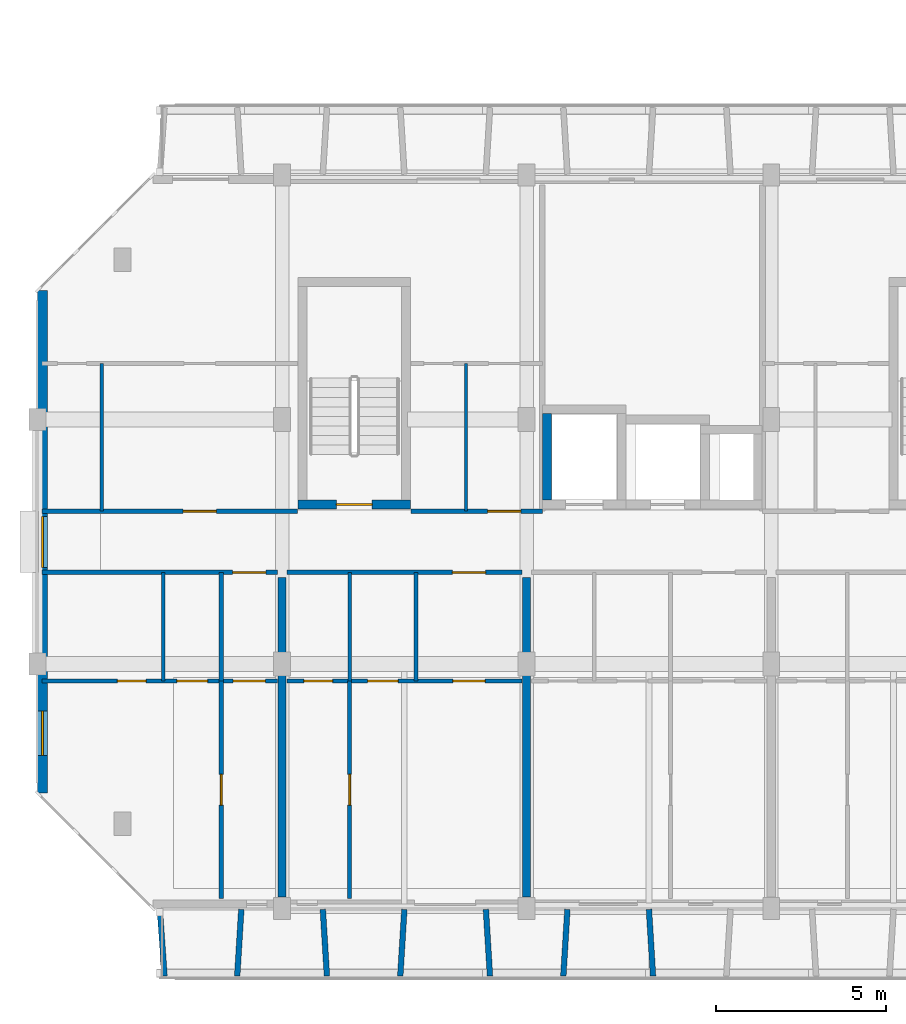
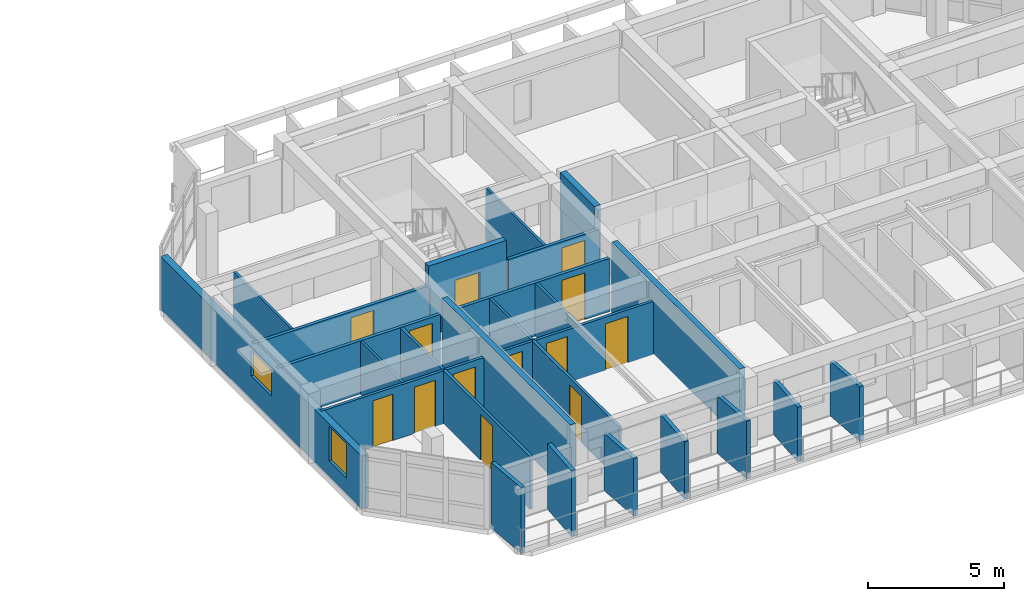
# One storey, part 22 of 51: 26 walls, 13 doors, 2 windows, 15 openings.
"""IFC4 building model written with IfcOpenShell, lengths in metres."""

import ifcopenshell
import ifcopenshell.guid

model = None  # the IFC model being written
_history = None  # IfcOwnerHistory: only IFC2X3 demands one
_inside = {}  # id of a spatial element -> (the spatial element, [elements in it])
_under = {}  # id of a project, library or spatial element -> (it, [spatial elements below it])
_declared = {}  # id of a project -> (the project, [libraries it declares])
_typed = {}  # id of a type object -> (the type object, [elements of that type])
_made_of = {}  # id of a material, layer set ... -> (it, [elements and type objects made of it])


def new_model(schema):
    """Start an empty IFC model of exactly this schema.

    Asked for "IFC4X3", IfcOpenShell would pick the latest addendum, in which some entities
    have other attributes; the version numbers below select the first issue.
    IFC2X3 requires an IfcOwnerHistory on every rooted entity: one is made here for all.
    """
    global model, _history
    if schema == "IFC4X3":
        model = ifcopenshell.file(schema_version=(4, 3, 0, 0))
    else:
        model = ifcopenshell.file(schema=schema)
    _inside.clear()
    _under.clear()
    _declared.clear()
    _typed.clear()
    _made_of.clear()
    _history = None
    if model.schema == "IFC2X3":
        org = make("IfcOrganization", Name="unknown")
        user = make(
            "IfcPersonAndOrganization",
            ThePerson=make("IfcPerson", FamilyName="unknown"),
            TheOrganization=org,
        )
        app = make(
            "IfcApplication",
            ApplicationDeveloper=org,
            Version="unknown",
            ApplicationFullName="unknown",
            ApplicationIdentifier="unknown",
        )
        _history = make(
            "IfcOwnerHistory",
            OwningUser=user,
            OwningApplication=app,
            ChangeAction="ADDED",
            CreationDate=0,
        )
    return model


def make(cls, **values):
    """One entity of the class cls with the attributes given. An attribute that is None is left unset."""
    return model.create_entity(
        cls, **{name: value for name, value in values.items() if value is not None}
    )


def rooted(cls, **values):
    """An entity with a GlobalId (a new one), such as an element, a storey or a relation."""
    return make(cls, GlobalId=ifcopenshell.guid.new(), OwnerHistory=_history, **values)


def si_unit(unit_type, name, prefix=None):
    """IfcSIUnit, for example si_unit("LENGTHUNIT", "METRE", prefix="MILLI")."""
    return make("IfcSIUnit", UnitType=unit_type, Prefix=prefix, Name=name)


def assignment(units):
    """IfcUnitAssignment: the units of a project."""
    return None if units is None else make("IfcUnitAssignment", Units=units)


def point(xyz):
    """IfcCartesianPoint."""
    return None if xyz is None else make("IfcCartesianPoint", Coordinates=xyz)


def direction(xyz):
    """IfcDirection."""
    return None if xyz is None else make("IfcDirection", DirectionRatios=xyz)


def frame(location, z_axis=None, x_axis=None):
    """IfcAxis2Placement3D, a coordinate frame: its origin and axes. An axis left out is left unset."""
    return make(
        "IfcAxis2Placement3D",
        Location=point(location),
        Axis=direction(z_axis),
        RefDirection=direction(x_axis),
    )


def frame_2d(location, x_axis=None):
    """IfcAxis2Placement2D, a coordinate frame in the plane: its origin and x axis."""
    return make(
        "IfcAxis2Placement2D", Location=point(location), RefDirection=direction(x_axis)
    )


def origin():
    """The frame at (0, 0, 0) with its axes left unset."""
    return frame((0.0, 0.0, 0.0))


def place(relative_to, where):
    """IfcLocalPlacement: puts the frame where relative to a parent placement (None: the world)."""
    return make(
        "IfcLocalPlacement", PlacementRelTo=relative_to, RelativePlacement=where
    )


def context(
    kind, dimensions, precision=None, world=None, true_north=None, identifier=None
):
    """IfcGeometricRepresentationContext, for example the 3D "Model" context."""
    return make(
        "IfcGeometricRepresentationContext",
        ContextIdentifier=identifier,
        ContextType=kind,
        CoordinateSpaceDimension=dimensions,
        Precision=precision,
        WorldCoordinateSystem=world,
        TrueNorth=true_north,
    )


def subcontext(parent, identifier, kind, view, scale=None):
    """IfcGeometricRepresentationSubContext, for example "Body" below "Model"."""
    return make(
        "IfcGeometricRepresentationSubContext",
        ContextIdentifier=identifier,
        ContextType=kind,
        ParentContext=parent,
        TargetScale=scale,
        TargetView=view,
    )


def project(units=None, contexts=None):
    """IfcProject with its units and contexts."""
    return rooted(
        "IfcProject",
        Name="project",
        RepresentationContexts=contexts,
        UnitsInContext=assignment(units),
    )


def spatial(cls, under=None, at=None, **own):
    """A site, building, storey or space (cls), placed at a placement, below another one or the project."""
    s = rooted(cls, ObjectPlacement=at, **own)
    if under is not None:
        _under.setdefault(under.id(), (under, []))[1].append(s)
    return s


def profile(cls, at=None, kind="AREA", **sizes):
    """A parametric profile (cls). Its sizes go by their IFC names, for example OverallWidth=200.0."""
    return make(cls, ProfileType=kind, Position=at, **sizes)


def rectangle(**sizes):
    """IfcRectangleProfileDef."""
    return profile("IfcRectangleProfileDef", **sizes)


def extrude(swept, where, along, depth):
    """IfcExtrudedAreaSolid: the profile swept, set in the frame where, extruded along a direction by depth."""
    return make(
        "IfcExtrudedAreaSolid",
        SweptArea=swept,
        Position=where,
        ExtrudedDirection=direction(along),
        Depth=depth,
    )


def shape(context_of_items, identifier, shape_type, items):
    """IfcShapeRepresentation: the items that make up one representation, for example the "Body"."""
    return make(
        "IfcShapeRepresentation",
        ContextOfItems=context_of_items,
        RepresentationIdentifier=identifier,
        RepresentationType=shape_type,
        Items=items,
    )


def material(Name=None, Category=None):
    """IfcMaterial."""
    return make("IfcMaterial", Name=Name, Category=Category)


def layer(
    of_material, thickness, ventilated=None, Name=None, Category=None, Priority=None
):
    """IfcMaterialLayer: one layer of a wall or slab, of a material (None: an air gap)."""
    return make(
        "IfcMaterialLayer",
        Material=of_material,
        LayerThickness=thickness,
        IsVentilated=ventilated,
        Name=Name,
        Category=Category,
        Priority=Priority,
    )


def layer_set(layers, Name=None):
    """IfcMaterialLayerSet."""
    return make("IfcMaterialLayerSet", MaterialLayers=layers, LayerSetName=Name)


def made_of(thing, what):
    """Note that an element or type object is made of a material, layer set ...; save() writes the relation."""
    if what is not None:
        _made_of.setdefault(what.id(), (what, []))[1].append(thing)
    return thing


def type_object(cls, material=None, **own):
    """A type object (cls), such as IfcWallType, which elements share."""
    return made_of(rooted(cls, **own), material)


def element(
    cls,
    number,
    at=None,
    inside=None,
    cuts=None,
    type_object=None,
    material=None,
    context=None,
    identifier="Body",
    shape_type=None,
    held_by="IfcProductDefinitionShape",
    body=None,
    shapes=None,
    **own,
):
    """One element of the class cls, such as IfcWall. Its Tag is "e" and its number.

    at: its placement. inside: the storey or other place that contains it. cuts: it is an
    opening in that element (IfcRelVoidsElement). A single representation is given by context,
    identifier, shape_type and body (its items); several are given by shapes. held_by: the class
    of the entity that holds the representations. save() writes the other relations.
    """
    e = rooted(cls, Tag="e%d" % number, ObjectPlacement=at, **own)
    if body is not None:
        shapes = [shape(context, identifier, shape_type, body)]
    if shapes is not None:
        e.Representation = make(held_by, Representations=shapes)
    if inside is not None:
        _inside.setdefault(inside.id(), (inside, []))[1].append(e)
    if cuts is not None:
        rooted(
            "IfcRelVoidsElement", RelatingBuildingElement=cuts, RelatedOpeningElement=e
        )
    if type_object is not None:
        _typed.setdefault(type_object.id(), (type_object, []))[1].append(e)
    return made_of(e, material)


def fill(opening, filler):
    """IfcRelFillsElement: the door or window that sits in an opening."""
    return rooted(
        "IfcRelFillsElement",
        RelatingOpeningElement=opening,
        RelatedBuildingElement=filler,
    )


def aggregate(whole, parts):
    """IfcRelAggregates: a whole, such as a stair, and the parts it consists of."""
    return rooted("IfcRelAggregates", RelatingObject=whole, RelatedObjects=parts)


def save(model, path):
    """Write the relations noted so far, then the file.

    IfcRelAggregates (storeys below a building ...), IfcRelContainedInSpatialStructure (elements
    in a storey), IfcRelDefinesByType, IfcRelAssociatesMaterial and IfcRelDeclares: one each for
    every whole, place, type object, material and project.
    """
    for whole, parts in _under.values():
        aggregate(whole, parts)
    for where, things in _inside.values():
        rooted(
            "IfcRelContainedInSpatialStructure",
            RelatedElements=things,
            RelatingStructure=where,
        )
    for kind, things in _typed.values():
        rooted("IfcRelDefinesByType", RelatedObjects=things, RelatingType=kind)
    for what, things in _made_of.values():
        rooted("IfcRelAssociatesMaterial", RelatedObjects=things, RelatingMaterial=what)
    for by, libraries in _declared.values():
        rooted("IfcRelDeclares", RelatingContext=by, RelatedDefinitions=libraries)
    model.write(path)


model = new_model("IFC4")

# Units and contexts
model_context = context("Model", 3, precision=1e-05, world=origin(), true_north=direction((0.0, 1.0)))
body_context = subcontext(model_context, "Body", "Model", "MODEL_VIEW")
ifc_project = project(units=[si_unit("LENGTHUNIT", "METRE"), si_unit("AREAUNIT", "SQUARE_METRE"), si_unit("VOLUMEUNIT", "CUBIC_METRE"), si_unit("PLANEANGLEUNIT", "RADIAN"), si_unit("MASSUNIT", "GRAM", prefix="KILO")], contexts=[model_context])

# Site, building, storey
site_placement = place(None, origin())
site = spatial("IfcSite", under=ifc_project, at=site_placement, CompositionType="ELEMENT")
building_placement = place(site_placement, origin())
building = spatial("IfcBuilding", under=site, at=building_placement, Name="Ochrevale Crest", CompositionType="ELEMENT")
storey_placement = place(building_placement, frame((0.0, 0.0, 11.85009765625)))
storey = spatial("IfcBuildingStorey", under=building, at=storey_placement, Name="L03", CompositionType="ELEMENT", Elevation=11.85009765625)

# Wall, opening, door
ifc_material_1 = material(Name="Gypsum plasterboard", Category="gypsum")
ifc_layer_1 = layer(ifc_material_1, 0.139892578125)
ifc_layer_set_1 = layer_set([ifc_layer_1], Name="Gypsum plasterboard")
wall_type_1 = type_object("IfcWallType", Name="WL-COR-140", PredefinedType="PARTITIONING", material=ifc_layer_set_1)
wall_1_placement = place(storey_placement, frame((0.139892578125, 24.300048828125, 0.0), z_axis=(0.0, 0.0, 1.0), x_axis=(1.0, 0.0, 0.0)))
wall_1 = element("IfcWall", 1, at=wall_1_placement, inside=storey, type_object=wall_type_1, Name="Apartment A-L03-U1 corridor wall", PredefinedType="PARTITIONING", context=body_context, shape_type="SweptSolid", body=[
    extrude(rectangle(XDim=6.920166015625, YDim=0.139892578125, at=frame_2d((3.4599609375, 0.0))), origin(), (0.0, 0.0, 1.0), 2.3798828125),
])
opening_1_placement = place(wall_1_placement, frame((6.5849609375, 0.0, 0.0), z_axis=(0.0, 0.0, 1.0), x_axis=(-1.0, 0.0, 0.0)))
opening_1 = element("IfcOpeningElement", 2, at=opening_1_placement, cuts=wall_1, Name="Opening FD01", PredefinedType="OPENING", context=body_context, shape_type="SweptSolid", body=[
    extrude(rectangle(XDim=0.97998046875, YDim=2.10009765625, at=frame_2d((0.489990234375, 1.050048828125))), frame((0.0, 0.080078125, 0.0), z_axis=(0.0, -1.0, 0.0), x_axis=(1.0, 0.0, 0.0)), (0.0, 0.0, 1.0), 0.159912109375),
])
ifc_material_2 = material(Name="Solid-core FSC hardwood", Category="wood")
door_type_1 = type_object("IfcDoorType", Name="DR-APT-950", OperationType="NOTDEFINED", PredefinedType="DOOR", material=ifc_material_2)
door_1_placement = place(opening_1_placement, origin())
door_1 = element("IfcDoor", 3, at=door_1_placement, inside=storey, type_object=door_type_1, Name="Apartment A-L03-U1 entrance door", OperationType="SINGLE_SWING_RIGHT", OverallHeight=2.10009765625, OverallWidth=0.97998046875, PredefinedType="DOOR", context=body_context, shape_type="SweptSolid", body=[
    extrude(rectangle(XDim=0.97998046875, YDim=2.10009765625, at=frame_2d((0.489990234375, 1.050048828125))), frame((0.0, 0.02490234375, 0.0), z_axis=(0.0, -1.0, 0.0), x_axis=(1.0, 0.0, 0.0)), (0.0, 0.0, 1.0), 0.050048828125),
])
fill(opening_1, door_1)

wall_2_placement = place(storey_placement, frame((7.340087890625, 24.300048828125, 0.0), z_axis=(0.0, 0.0, 1.0), x_axis=(1.0, 0.0, 0.0)))
wall_2 = element("IfcWall", 4, at=wall_2_placement, inside=storey, type_object=wall_type_1, Name="Apartment A-L03-U2 corridor wall", PredefinedType="PARTITIONING", context=body_context, shape_type="SweptSolid", body=[
    extrude(rectangle(XDim=6.919921875, YDim=0.139892578125, at=frame_2d((3.4599609375, 0.0))), origin(), (0.0, 0.0, 1.0), 2.3798828125),
])
opening_2_placement = place(wall_2_placement, frame((4.8701171875, 0.0, 0.0)))
opening_2 = element("IfcOpeningElement", 5, at=opening_2_placement, cuts=wall_2, Name="Opening FD01", PredefinedType="OPENING", context=body_context, shape_type="SweptSolid", body=[
    extrude(rectangle(XDim=0.97998046875, YDim=2.10009765625, at=frame_2d((0.489990234375, 1.050048828125))), frame((0.0, 0.080078125, 0.0), z_axis=(0.0, -1.0, 0.0), x_axis=(1.0, 0.0, 0.0)), (0.0, 0.0, 1.0), 0.159912109375),
])
door_2_placement = place(opening_2_placement, origin())
door_2 = element("IfcDoor", 6, at=door_2_placement, inside=storey, type_object=door_type_1, Name="Apartment A-L03-U2 entrance door", OperationType="SINGLE_SWING_LEFT", OverallHeight=2.10009765625, OverallWidth=0.97998046875, PredefinedType="DOOR", context=body_context, shape_type="SweptSolid", body=[
    extrude(rectangle(XDim=0.97998046875, YDim=2.10009765625, at=frame_2d((0.489990234375, 1.050048828125))), frame((0.0, 0.02490234375, 0.0), z_axis=(0.0, -1.0, 0.0), x_axis=(1.0, 0.0, 0.0)), (0.0, 0.0, 1.0), 0.050048828125),
])
fill(opening_2, door_2)

wall_3_placement = place(storey_placement, frame((0.139892578125, 26.10009765625, 0.0), z_axis=(0.0, 0.0, 1.0), x_axis=(1.0, 0.0, 0.0)))
wall_3 = element("IfcWall", 7, at=wall_3_placement, inside=storey, type_object=wall_type_1, Name="Suite A-L03-CW corridor wall", PredefinedType="PARTITIONING", context=body_context, shape_type="SweptSolid", body=[
    extrude(rectangle(XDim=7.52001953125, YDim=0.139892578125, at=frame_2d((3.760009765625, 0.0))), origin(), (0.0, 0.0, 1.0), 2.3798828125),
])
opening_3_placement = place(wall_3_placement, frame((4.14501953125, 0.0, 0.0)))
opening_3 = element("IfcOpeningElement", 8, at=opening_3_placement, cuts=wall_3, Name="Opening FD01", PredefinedType="OPENING", context=body_context, shape_type="SweptSolid", body=[
    extrude(rectangle(XDim=0.97998046875, YDim=2.10009765625, at=frame_2d((0.489990234375, 1.050048828125))), frame((0.0, 0.080078125, 0.0), z_axis=(0.0, -1.0, 0.0), x_axis=(1.0, 0.0, 0.0)), (0.0, 0.0, 1.0), 0.159912109375),
])
door_3_placement = place(opening_3_placement, origin())
door_3 = element("IfcDoor", 9, at=door_3_placement, inside=storey, type_object=door_type_1, Name="Suite A-L03-CW entrance door", OperationType="SINGLE_SWING_LEFT", OverallHeight=2.10009765625, OverallWidth=0.97998046875, PredefinedType="DOOR", context=body_context, shape_type="SweptSolid", body=[
    extrude(rectangle(XDim=0.97998046875, YDim=2.10009765625, at=frame_2d((0.489990234375, 1.050048828125))), frame((0.0, 0.02490234375, 0.0), z_axis=(0.0, -1.0, 0.0), x_axis=(1.0, 0.0, 0.0)), (0.0, 0.0, 1.0), 0.050048828125),
])
fill(opening_3, door_3)

wall_4_placement = place(storey_placement, frame((10.989990234375, 26.10009765625, 0.0), z_axis=(0.0, 0.0, 1.0), x_axis=(1.0, 0.0, 0.0)))
wall_4 = element("IfcWall", 10, at=wall_4_placement, inside=storey, type_object=wall_type_1, Name="Suite A-L03-MW corridor wall", PredefinedType="PARTITIONING", context=body_context, shape_type="SweptSolid", body=[
    extrude(rectangle(XDim=3.8701171875, YDim=0.139892578125, at=frame_2d((1.93505859375, 0.0))), origin(), (0.0, 0.0, 1.0), 2.3798828125),
])
opening_4_placement = place(wall_4_placement, frame((3.23779296875, 0.0, 0.0), z_axis=(0.0, 0.0, 1.0), x_axis=(-1.0, 0.0, 0.0)))
opening_4 = element("IfcOpeningElement", 11, at=opening_4_placement, cuts=wall_4, Name="Opening FD01", PredefinedType="OPENING", context=body_context, shape_type="SweptSolid", body=[
    extrude(rectangle(XDim=0.97998046875, YDim=2.10009765625, at=frame_2d((0.489990234375, 1.050048828125))), frame((0.0, 0.080078125, 0.0), z_axis=(0.0, -1.0, 0.0), x_axis=(1.0, 0.0, 0.0)), (0.0, 0.0, 1.0), 0.159912109375),
])
door_4_placement = place(opening_4_placement, origin())
door_4 = element("IfcDoor", 12, at=door_4_placement, inside=storey, type_object=door_type_1, Name="Suite A-L03-MW entrance door", OperationType="SINGLE_SWING_RIGHT", OverallHeight=2.10009765625, OverallWidth=0.97998046875, PredefinedType="DOOR", context=body_context, shape_type="SweptSolid", body=[
    extrude(rectangle(XDim=0.97998046875, YDim=2.10009765625, at=frame_2d((0.489990234375, 1.050048828125))), frame((0.0, 0.02490234375, 0.0), z_axis=(0.0, -1.0, 0.0), x_axis=(1.0, 0.0, 0.0)), (0.0, 0.0, 1.0), 0.050048828125),
])
fill(opening_4, door_4)

ifc_material_3 = material(Name="Precast concrete C50/60", Category="concrete")
ifc_layer_2 = layer(ifc_material_3, 0.2548828125)
ifc_layer_set_2 = layer_set([ifc_layer_2], Name="Precast concrete C50/60")
wall_type_2 = type_object("IfcWallType", Name="WL-CORE-255", PredefinedType="SHEAR", material=ifc_layer_set_2)
wall_5_placement = place(storey_placement, frame((7.672607421875, 26.300048828125, 0.0), z_axis=(0.0, 0.0, 1.0), x_axis=(1.0, 0.0, 0.0)))
wall_5 = element("IfcWall", 13, at=wall_5_placement, inside=storey, type_object=wall_type_2, Name="Block A L03 Stair 1 precast core shear wall S", PredefinedType="SHEAR", context=body_context, shape_type="SweptSolid", body=[
    extrude(rectangle(XDim=3.304931640625, YDim=0.2548828125, at=frame_2d((1.65234375, 0.0))), origin(), (0.0, 0.0, 1.0), 3.14990234375),
])
opening_5_placement = place(wall_5_placement, frame((2.177490234375, 0.0, 0.0), z_axis=(0.0, 0.0, 1.0), x_axis=(-1.0, 0.0, 0.0)))
opening_5 = element("IfcOpeningElement", 14, at=opening_5_placement, cuts=wall_5, Name="Opening FD03", PredefinedType="OPENING", context=body_context, shape_type="SweptSolid", body=[
    extrude(rectangle(XDim=1.050048828125, YDim=2.1201171875, at=frame_2d((0.52490234375, 1.06005859375))), frame((0.0, 0.137451171875, 0.0), z_axis=(0.0, -1.0, 0.0), x_axis=(1.0, 0.0, 0.0)), (0.0, 0.0, 1.0), 0.27490234375),
])
door_type_2 = type_object("IfcDoorType", Name="DR-ST-1050", OperationType="NOTDEFINED", PredefinedType="DOOR", material=ifc_material_2)
door_5_placement = place(opening_5_placement, origin())
door_5 = element("IfcDoor", 15, at=door_5_placement, inside=storey, type_object=door_type_2, Name="Block A L03 fire stair 1 door", OperationType="SINGLE_SWING_RIGHT", OverallHeight=2.1201171875, OverallWidth=1.050048828125, PredefinedType="DOOR", context=body_context, shape_type="SweptSolid", body=[
    extrude(rectangle(XDim=1.050048828125, YDim=2.1201171875, at=frame_2d((0.52490234375, 1.06005859375))), frame((0.0, 0.02490234375, 0.0), z_axis=(0.0, -1.0, 0.0), x_axis=(1.0, 0.0, 0.0)), (0.0, 0.0, 1.0), 0.050048828125),
])
fill(opening_5, door_5)

# Wall
wall_6_placement = place(storey_placement, frame((15.0, 26.427490234375, 0.0), z_axis=(0.0, 0.0, 1.0), x_axis=(0.0, 1.0, 0.0)))
element("IfcWall", 16, at=wall_6_placement, inside=storey, type_object=wall_type_2, Name="Block A L03 Lift 1 precast shaft shear wall W", PredefinedType="SHEAR", context=body_context, shape_type="SweptSolid", body=[
    extrude(rectangle(XDim=2.544921875, YDim=0.2548828125, at=frame_2d((1.2724609375, 0.0))), origin(), (0.0, 0.0, 1.0), 3.14990234375),
])

# Wall, openings, windows
ifc_material_4 = material(Name="Clay face brickwork", Category="masonry")
ifc_layer_3 = layer(ifc_material_4, 0.2900390625)
ifc_layer_set_3 = layer_set([ifc_layer_3], Name="Clay face brickwork")
wall_type_3 = type_object("IfcWallType", Name="WL-EXT-BRICK-290", PredefinedType="SOLIDWALL", material=ifc_layer_set_3)
wall_7_placement = place(storey_placement, frame((0.14501953125, 32.60009765625, 0.0), z_axis=(0.0, 0.0, 1.0), x_axis=(0.0, -1.0, 0.0)))
wall_7 = element("IfcWall", 17, at=wall_7_placement, inside=storey, type_object=wall_type_3, Name="Block A L03 external facade wall E7", PredefinedType="SOLIDWALL", context=body_context, shape_type="SweptSolid", body=[
    extrude(rectangle(XDim=14.800048828125, YDim=0.2900390625, at=frame_2d((7.39990234375, 0.0))), origin(), (0.0, 0.0, 1.0), 2.3798828125),
])
opening_6_placement = place(wall_7_placement, frame((6.64990234375, 0.0, 1.050048828125)))
opening_6 = element("IfcOpeningElement", 18, at=opening_6_placement, cuts=wall_7, Name="Opening W18", PredefinedType="OPENING", context=body_context, shape_type="SweptSolid", body=[
    extrude(rectangle(XDim=1.5, YDim=1.14990234375, at=frame_2d((0.75, 0.574951171875))), frame((0.0, 0.155029296875, 0.0), z_axis=(0.0, -1.0, 0.0), x_axis=(1.0, 0.0, 0.0)), (0.0, 0.0, 1.0), 0.31005859375),
])
opening_7_placement = place(wall_7_placement, frame((12.385009765625, 0.0, 0.719970703125)))
opening_7 = element("IfcOpeningElement", 19, at=opening_7_placement, cuts=wall_7, Name="Opening W30", PredefinedType="OPENING", context=body_context, shape_type="SweptSolid", body=[
    extrude(rectangle(XDim=1.300048828125, YDim=1.550048828125, at=frame_2d((0.64990234375, 0.77490234375))), frame((0.0, 0.155029296875, 0.0), z_axis=(0.0, -1.0, 0.0), x_axis=(1.0, 0.0, 0.0)), (0.0, 0.0, 1.0), 0.31005859375),
])
ifc_material_5 = material(Name="Anodised aluminium 6063-T5 and low-E double glazing", Category="aluminium")
window_type_1 = type_object("IfcWindowType", Name="WIN-W18", PartitioningType="SINGLE_PANEL", PredefinedType="WINDOW", material=ifc_material_5)
window_1_placement = place(opening_6_placement, origin())
window_1 = element("IfcWindow", 20, at=window_1_placement, inside=storey, type_object=window_type_1, Name="Block A L03 corridor end daylight window W", OverallHeight=1.14990234375, OverallWidth=1.5, PartitioningType="SINGLE_PANEL", PredefinedType="WINDOW", context=body_context, shape_type="SweptSolid", body=[
    extrude(rectangle(XDim=1.5, YDim=1.14990234375, at=frame_2d((0.75, 0.574951171875))), frame((0.0, 0.030029296875, 0.0), z_axis=(0.0, -1.0, 0.0), x_axis=(1.0, 0.0, 0.0)), (0.0, 0.0, 1.0), 0.06005859375),
])
fill(opening_6, window_1)
window_type_2 = type_object("IfcWindowType", Name="WIN-W30", PartitioningType="SINGLE_PANEL", PredefinedType="WINDOW", material=ifc_material_5)
window_2_placement = place(opening_7_placement, origin())
window_2 = element("IfcWindow", 21, at=window_2_placement, inside=storey, type_object=window_type_2, Name="Block A L03 side suite window W", OverallHeight=1.550048828125, OverallWidth=1.300048828125, PartitioningType="SINGLE_PANEL", PredefinedType="WINDOW", context=body_context, shape_type="SweptSolid", body=[
    extrude(rectangle(XDim=1.300048828125, YDim=1.550048828125, at=frame_2d((0.64990234375, 0.77490234375))), frame((0.0, 0.030029296875, 0.0), z_axis=(0.0, -1.0, 0.0), x_axis=(1.0, 0.0, 0.0)), (0.0, 0.0, 1.0), 0.06005859375),
])
fill(opening_7, window_2)

# Walls
ifc_material_6 = material(Name="Precast concrete C40/50", Category="concrete")
ifc_layer_4 = layer(ifc_material_6, 0.1650390625)
ifc_layer_set_4 = layer_set([ifc_layer_4], Name="Precast concrete C40/50")
wall_type_4 = type_object("IfcWallType", Name="WL-HC-CHEEK-165", PredefinedType="ELEMENTEDWALL", material=ifc_layer_set_4)
wall_8_placement = place(storey_placement, frame((3.60009765625, 14.3798828125, 0.0), z_axis=(0.0, 0.0, 1.0), x_axis=(0.071194071069, -0.997462482625, 0.0)))
element("IfcWall", 22, at=wall_8_placement, inside=storey, type_object=wall_type_4, Name="Block A L03 S precast honeycomb cheek 1", PredefinedType="ELEMENTEDWALL", context=body_context, shape_type="SweptSolid", body=[
    extrude(rectangle(XDim=1.96484375, YDim=0.1650390625, at=frame_2d((0.982421875, 0.0))), origin(), (0.0, 0.0, 1.0), 2.949951171875),
])
wall_9_placement = place(storey_placement, frame((6.0, 14.3798828125, 0.0), z_axis=(0.0, 0.0, 1.0), x_axis=(-0.061170732449, -0.998127317276, 0.0)))
element("IfcWall", 23, at=wall_9_placement, inside=storey, type_object=wall_type_4, Name="Block A L03 S precast honeycomb cheek 2", PredefinedType="ELEMENTEDWALL", context=body_context, shape_type="SweptSolid", body=[
    extrude(rectangle(XDim=1.963623046875, YDim=0.1650390625, at=frame_2d((0.98193359375, 0.0))), origin(), (0.0, 0.0, 1.0), 2.949951171875),
])
for number, where, z_axis, x_axis, name in (
    (24, (8.39990234375, 14.3798828125, 0.0), (0.0, 0.0, 1.0), (0.061170732449, -0.998127317276, 0.0), "Block A L03 S precast honeycomb cheek 3"),
    (25, (10.800048828125, 14.3798828125, 0.0), (0.0, 0.0, 1.0), (-0.061170732449, -0.998127317276, 0.0), "Block A L03 S precast honeycomb cheek 4"),
    (26, (13.199951171875, 14.3798828125, 0.0), (0.0, 0.0, 1.0), (0.061170732449, -0.998127317276, 0.0), "Block A L03 S precast honeycomb cheek 5"),
):
    element("IfcWall", number, at=place(storey_placement, frame(where, z_axis=z_axis, x_axis=x_axis)), inside=storey, type_object=wall_type_4, Name=name, PredefinedType="ELEMENTEDWALL", context=body_context, shape_type="SweptSolid", body=[
        extrude(rectangle(XDim=1.963623046875, YDim=0.1650390625, at=frame_2d((0.98193359375, 0.0))), origin(), (0.0, 0.0, 1.0), 2.579833984375),
    ])
for number, where, z_axis, x_axis, name in (
    (27, (15.60009765625, 14.3798828125, 0.0), (0.0, 0.0, 1.0), (-0.061170732449, -0.998127317276, 0.0), "Block A L03 S precast honeycomb cheek 6"),
    (28, (18.0, 14.3798828125, 0.0), (0.0, 0.0, 1.0), (0.061170732449, -0.998127317276, 0.0), "Block A L03 S precast honeycomb cheek 7"),
):
    element("IfcWall", number, at=place(storey_placement, frame(where, z_axis=z_axis, x_axis=x_axis)), inside=storey, type_object=wall_type_4, Name=name, PredefinedType="ELEMENTEDWALL", context=body_context, shape_type="SweptSolid", body=[
        extrude(rectangle(XDim=1.963623046875, YDim=0.1650390625, at=frame_2d((0.98193359375, 0.0))), origin(), (0.0, 0.0, 1.0), 2.449951171875),
    ])
ifc_layer_5 = layer(ifc_material_1, 0.1201171875)
ifc_layer_set_5 = layer_set([ifc_layer_5], Name="Gypsum plasterboard")
wall_type_5 = type_object("IfcWallType", Name="WL-PART-120", PredefinedType="PARTITIONING", material=ifc_layer_set_5)
wall_10_placement = place(storey_placement, frame((5.409912109375, 21.10009765625, 0.0), z_axis=(0.0, 0.0, 1.0), x_axis=(0.0, 1.0, 0.0)))
element("IfcWall", 29, at=wall_10_placement, inside=storey, type_object=wall_type_5, Name="Apartment A-L03-U1 kitchen-foyer wall", PredefinedType="PARTITIONING", context=body_context, shape_type="SweptSolid", body=[
    extrude(rectangle(XDim=3.199951171875, YDim=0.1201171875, at=frame_2d((1.60009765625, 0.0))), origin(), (0.0, 0.0, 1.0), 2.375),
])

# Wall, openings, doors
wall_11_placement = place(storey_placement, frame((0.139892578125, 21.10009765625, 0.0), z_axis=(0.0, 0.0, 1.0), x_axis=(1.0, 0.0, 0.0)))
wall_11 = element("IfcWall", 30, at=wall_11_placement, inside=storey, type_object=wall_type_5, Name="Apartment A-L03-U1 central partition", PredefinedType="PARTITIONING", context=body_context, shape_type="SweptSolid", body=[
    extrude(rectangle(XDim=6.920166015625, YDim=0.1201171875, at=frame_2d((3.4599609375, 0.0))), origin(), (0.0, 0.0, 1.0), 2.3798828125),
])
opening_8_placement = place(wall_11_placement, frame((2.2099609375, 0.0, 0.0)))
opening_8 = element("IfcOpeningElement", 31, at=opening_8_placement, cuts=wall_11, Name="Opening ID01", PredefinedType="OPENING", context=body_context, shape_type="SweptSolid", body=[
    extrude(rectangle(XDim=0.85009765625, YDim=2.080078125, at=frame_2d((0.425048828125, 1.0400390625))), frame((0.0, 0.070068359375, 0.0), z_axis=(0.0, -1.0, 0.0), x_axis=(1.0, 0.0, 0.0)), (0.0, 0.0, 1.0), 0.14013671875),
])
opening_9_placement = place(wall_11_placement, frame((4.864990234375, 0.0, 0.0), z_axis=(0.0, 0.0, 1.0), x_axis=(-1.0, 0.0, 0.0)))
opening_9 = element("IfcOpeningElement", 32, at=opening_9_placement, cuts=wall_11, Name="Opening ID02", PredefinedType="OPENING", context=body_context, shape_type="SweptSolid", body=[
    extrude(rectangle(XDim=0.89990234375, YDim=2.080078125, at=frame_2d((0.449951171875, 1.0400390625))), frame((0.0, 0.070068359375, 0.0), z_axis=(0.0, -1.0, 0.0), x_axis=(1.0, 0.0, 0.0)), (0.0, 0.0, 1.0), 0.14013671875),
])
opening_10_placement = place(wall_11_placement, frame((5.6201171875, 0.0, 0.0)))
opening_10 = element("IfcOpeningElement", 33, at=opening_10_placement, cuts=wall_11, Name="Opening ID06", PredefinedType="OPENING", context=body_context, shape_type="SweptSolid", body=[
    extrude(rectangle(XDim=0.949951171875, YDim=2.080078125, at=frame_2d((0.47509765625, 1.0400390625))), frame((0.0, 0.070068359375, 0.0), z_axis=(0.0, -1.0, 0.0), x_axis=(1.0, 0.0, 0.0)), (0.0, 0.0, 1.0), 0.14013671875),
])
door_type_3 = type_object("IfcDoorType", Name="DR-INT-900", OperationType="NOTDEFINED", PredefinedType="DOOR", material=ifc_material_2)
door_6_placement = place(opening_9_placement, origin())
door_6 = element("IfcDoor", 34, at=door_6_placement, inside=storey, type_object=door_type_3, Name="Apartment A-L03-U1 Kitchen door", OperationType="SINGLE_SWING_RIGHT", OverallHeight=2.080078125, OverallWidth=0.89990234375, PredefinedType="DOOR", context=body_context, shape_type="SweptSolid", body=[
    extrude(rectangle(XDim=0.89990234375, YDim=2.080078125, at=frame_2d((0.449951171875, 1.0400390625))), frame((0.0, 0.02490234375, 0.0), z_axis=(0.0, -1.0, 0.0), x_axis=(1.0, 0.0, 0.0)), (0.0, 0.0, 1.0), 0.050048828125),
])
fill(opening_9, door_6)
door_type_4 = type_object("IfcDoorType", Name="DR-INT-950", OperationType="NOTDEFINED", PredefinedType="DOOR", material=ifc_material_2)
door_7_placement = place(opening_10_placement, origin())
door_7 = element("IfcDoor", 35, at=door_7_placement, inside=storey, type_object=door_type_4, Name="Apartment A-L03-U1 Living Foyer door", OperationType="SINGLE_SWING_LEFT", OverallHeight=2.080078125, OverallWidth=0.949951171875, PredefinedType="DOOR", context=body_context, shape_type="SweptSolid", body=[
    extrude(rectangle(XDim=0.949951171875, YDim=2.080078125, at=frame_2d((0.47509765625, 1.0400390625))), frame((0.0, 0.02490234375, 0.0), z_axis=(0.0, -1.0, 0.0), x_axis=(1.0, 0.0, 0.0)), (0.0, 0.0, 1.0), 0.050048828125),
])
fill(opening_10, door_7)
door_type_5 = type_object("IfcDoorType", Name="DR-WC-850", OperationType="NOTDEFINED", PredefinedType="DOOR", material=ifc_material_2)
door_8_placement = place(opening_8_placement, origin())
door_8 = element("IfcDoor", 36, at=door_8_placement, inside=storey, type_object=door_type_5, Name="Apartment A-L03-U1 Bathroom door", OperationType="SINGLE_SWING_LEFT", OverallHeight=2.080078125, OverallWidth=0.85009765625, PredefinedType="DOOR", context=body_context, shape_type="SweptSolid", body=[
    extrude(rectangle(XDim=0.85009765625, YDim=2.080078125, at=frame_2d((0.425048828125, 1.0400390625))), frame((0.0, 0.02490234375, 0.0), z_axis=(0.0, -1.0, 0.0), x_axis=(1.0, 0.0, 0.0)), (0.0, 0.0, 1.0), 0.050048828125),
])
fill(opening_8, door_8)

# Wall, opening, door
wall_12_placement = place(storey_placement, frame((5.409912109375, 14.699951171875, 0.0), z_axis=(0.0, 0.0, 1.0), x_axis=(0.0, 1.0, 0.0)))
wall_12 = element("IfcWall", 37, at=wall_12_placement, inside=storey, type_object=wall_type_5, Name="Apartment A-L03-U1 bedroom partition", PredefinedType="PARTITIONING", context=body_context, shape_type="SweptSolid", body=[
    extrude(rectangle(XDim=6.400146484375, YDim=0.1201171875, at=frame_2d((3.2001953125, 0.0))), origin(), (0.0, 0.0, 1.0), 2.3798828125),
])
opening_11_placement = place(wall_12_placement, frame((3.64990234375, 0.0, 0.0), z_axis=(0.0, 0.0, 1.0), x_axis=(-1.0, 0.0, 0.0)))
opening_11 = element("IfcOpeningElement", 38, at=opening_11_placement, cuts=wall_12, Name="Opening ID02", PredefinedType="OPENING", context=body_context, shape_type="SweptSolid", body=[
    extrude(rectangle(XDim=0.89990234375, YDim=2.080078125, at=frame_2d((0.449951171875, 1.0400390625))), frame((0.0, 0.070068359375, 0.0), z_axis=(0.0, -1.0, 0.0), x_axis=(1.0, 0.0, 0.0)), (0.0, 0.0, 1.0), 0.14013671875),
])
door_9_placement = place(opening_11_placement, origin())
door_9 = element("IfcDoor", 39, at=door_9_placement, inside=storey, type_object=door_type_3, Name="Apartment A-L03-U1 Twin Bedroom door", OperationType="SINGLE_SWING_RIGHT", OverallHeight=2.080078125, OverallWidth=0.89990234375, PredefinedType="DOOR", context=body_context, shape_type="SweptSolid", body=[
    extrude(rectangle(XDim=0.89990234375, YDim=2.080078125, at=frame_2d((0.449951171875, 1.0400390625))), frame((0.0, 0.02490234375, 0.0), z_axis=(0.0, -1.0, 0.0), x_axis=(1.0, 0.0, 0.0)), (0.0, 0.0, 1.0), 0.050048828125),
])
fill(opening_11, door_9)

# Wall
wall_13_placement = place(storey_placement, frame((11.139892578125, 21.10009765625, 0.0), z_axis=(0.0, 0.0, 1.0), x_axis=(0.0, 1.0, 0.0)))
element("IfcWall", 40, at=wall_13_placement, inside=storey, type_object=wall_type_5, Name="Apartment A-L03-U2 kitchen-foyer wall", PredefinedType="PARTITIONING", context=body_context, shape_type="SweptSolid", body=[
    extrude(rectangle(XDim=3.199951171875, YDim=0.1201171875, at=frame_2d((1.60009765625, 0.0))), origin(), (0.0, 0.0, 1.0), 2.375),
])

# Wall, openings, doors
wall_14_placement = place(storey_placement, frame((7.340087890625, 21.10009765625, 0.0), z_axis=(0.0, 0.0, 1.0), x_axis=(1.0, 0.0, 0.0)))
wall_14 = element("IfcWall", 41, at=wall_14_placement, inside=storey, type_object=wall_type_5, Name="Apartment A-L03-U2 central partition", PredefinedType="PARTITIONING", context=body_context, shape_type="SweptSolid", body=[
    extrude(rectangle(XDim=6.919921875, YDim=0.1201171875, at=frame_2d((3.4599609375, 0.0))), origin(), (0.0, 0.0, 1.0), 2.3798828125),
])
opening_12_placement = place(wall_14_placement, frame((1.35009765625, 0.0, 0.0), z_axis=(0.0, 0.0, 1.0), x_axis=(-1.0, 0.0, 0.0)))
opening_12 = element("IfcOpeningElement", 42, at=opening_12_placement, cuts=wall_14, Name="Opening ID01", PredefinedType="OPENING", context=body_context, shape_type="SweptSolid", body=[
    extrude(rectangle(XDim=0.85009765625, YDim=2.080078125, at=frame_2d((0.425048828125, 1.0400390625))), frame((0.0, 0.070068359375, 0.0), z_axis=(0.0, -1.0, 0.0), x_axis=(1.0, 0.0, 0.0)), (0.0, 0.0, 1.0), 0.14013671875),
])
opening_13_placement = place(wall_14_placement, frame((2.375, 0.0, 0.0)))
opening_13 = element("IfcOpeningElement", 43, at=opening_13_placement, cuts=wall_14, Name="Opening ID02", PredefinedType="OPENING", context=body_context, shape_type="SweptSolid", body=[
    extrude(rectangle(XDim=0.89990234375, YDim=2.080078125, at=frame_2d((0.449951171875, 1.0400390625))), frame((0.0, 0.070068359375, 0.0), z_axis=(0.0, -1.0, 0.0), x_axis=(1.0, 0.0, 0.0)), (0.0, 0.0, 1.0), 0.14013671875),
])
opening_14_placement = place(wall_14_placement, frame((5.8349609375, 0.0, 0.0), z_axis=(0.0, 0.0, 1.0), x_axis=(-1.0, 0.0, 0.0)))
opening_14 = element("IfcOpeningElement", 44, at=opening_14_placement, cuts=wall_14, Name="Opening ID06", PredefinedType="OPENING", context=body_context, shape_type="SweptSolid", body=[
    extrude(rectangle(XDim=0.949951171875, YDim=2.080078125, at=frame_2d((0.47509765625, 1.0400390625))), frame((0.0, 0.070068359375, 0.0), z_axis=(0.0, -1.0, 0.0), x_axis=(1.0, 0.0, 0.0)), (0.0, 0.0, 1.0), 0.14013671875),
])
door_10_placement = place(opening_13_placement, origin())
door_10 = element("IfcDoor", 45, at=door_10_placement, inside=storey, type_object=door_type_3, Name="Apartment A-L03-U2 Kitchen door", OperationType="SINGLE_SWING_LEFT", OverallHeight=2.080078125, OverallWidth=0.89990234375, PredefinedType="DOOR", context=body_context, shape_type="SweptSolid", body=[
    extrude(rectangle(XDim=0.89990234375, YDim=2.080078125, at=frame_2d((0.449951171875, 1.0400390625))), frame((0.0, 0.02490234375, 0.0), z_axis=(0.0, -1.0, 0.0), x_axis=(1.0, 0.0, 0.0)), (0.0, 0.0, 1.0), 0.050048828125),
])
fill(opening_13, door_10)
door_11_placement = place(opening_14_placement, origin())
door_11 = element("IfcDoor", 46, at=door_11_placement, inside=storey, type_object=door_type_4, Name="Apartment A-L03-U2 Living Foyer door", OperationType="SINGLE_SWING_RIGHT", OverallHeight=2.080078125, OverallWidth=0.949951171875, PredefinedType="DOOR", context=body_context, shape_type="SweptSolid", body=[
    extrude(rectangle(XDim=0.949951171875, YDim=2.080078125, at=frame_2d((0.47509765625, 1.0400390625))), frame((0.0, 0.02490234375, 0.0), z_axis=(0.0, -1.0, 0.0), x_axis=(1.0, 0.0, 0.0)), (0.0, 0.0, 1.0), 0.050048828125),
])
fill(opening_14, door_11)
door_12_placement = place(opening_12_placement, origin())
door_12 = element("IfcDoor", 47, at=door_12_placement, inside=storey, type_object=door_type_5, Name="Apartment A-L03-U2 Bathroom door", OperationType="SINGLE_SWING_RIGHT", OverallHeight=2.080078125, OverallWidth=0.85009765625, PredefinedType="DOOR", context=body_context, shape_type="SweptSolid", body=[
    extrude(rectangle(XDim=0.85009765625, YDim=2.080078125, at=frame_2d((0.425048828125, 1.0400390625))), frame((0.0, 0.02490234375, 0.0), z_axis=(0.0, -1.0, 0.0), x_axis=(1.0, 0.0, 0.0)), (0.0, 0.0, 1.0), 0.050048828125),
])
fill(opening_12, door_12)

# Wall, opening, door
wall_15_placement = place(storey_placement, frame((9.18994140625, 14.699951171875, 0.0), z_axis=(0.0, 0.0, 1.0), x_axis=(0.0, 1.0, 0.0)))
wall_15 = element("IfcWall", 48, at=wall_15_placement, inside=storey, type_object=wall_type_5, Name="Apartment A-L03-U2 bedroom partition", PredefinedType="PARTITIONING", context=body_context, shape_type="SweptSolid", body=[
    extrude(rectangle(XDim=6.400146484375, YDim=0.1201171875, at=frame_2d((3.2001953125, 0.0))), origin(), (0.0, 0.0, 1.0), 2.3798828125),
])
opening_15_placement = place(wall_15_placement, frame((2.75, 0.0, 0.0)))
opening_15 = element("IfcOpeningElement", 49, at=opening_15_placement, cuts=wall_15, Name="Opening ID02", PredefinedType="OPENING", context=body_context, shape_type="SweptSolid", body=[
    extrude(rectangle(XDim=0.89990234375, YDim=2.080078125, at=frame_2d((0.449951171875, 1.0400390625))), frame((0.0, 0.070068359375, 0.0), z_axis=(0.0, -1.0, 0.0), x_axis=(1.0, 0.0, 0.0)), (0.0, 0.0, 1.0), 0.14013671875),
])
door_13_placement = place(opening_15_placement, origin())
door_13 = element("IfcDoor", 50, at=door_13_placement, inside=storey, type_object=door_type_3, Name="Apartment A-L03-U2 Double Bedroom door", OperationType="SINGLE_SWING_LEFT", OverallHeight=2.080078125, OverallWidth=0.89990234375, PredefinedType="DOOR", context=body_context, shape_type="SweptSolid", body=[
    extrude(rectangle(XDim=0.89990234375, YDim=2.080078125, at=frame_2d((0.449951171875, 1.0400390625))), frame((0.0, 0.02490234375, 0.0), z_axis=(0.0, -1.0, 0.0), x_axis=(1.0, 0.0, 0.0)), (0.0, 0.0, 1.0), 0.050048828125),
])
fill(opening_15, door_13)

# Walls
ifc_layer_6 = layer(ifc_material_3, 0.239990234375)
ifc_layer_set_6 = layer_set([ifc_layer_6], Name="Precast concrete C50/60")
wall_type_6 = type_object("IfcWallType", Name="WL-SHEAR-240", PredefinedType="SHEAR", material=ifc_layer_set_6)
for number, where, z_axis, x_axis, name in (
    (51, (7.199951171875, 14.75, 0.0), (0.0, 0.0, 1.0), (0.0, 1.0, 0.0), "Block A L03 load-bearing precast cross-wall X=7.2"),
    (52, (14.39990234375, 14.75, 0.0), (0.0, 0.0, 1.0), (0.0, 1.0, 0.0), "Block A L03 load-bearing precast cross-wall X=14.4"),
):
    element("IfcWall", number, at=place(storey_placement, frame(where, z_axis=z_axis, x_axis=x_axis)), inside=storey, type_object=wall_type_6, Name=name, PredefinedType="SHEAR", context=body_context, shape_type="SweptSolid", body=[
        extrude(rectangle(XDim=9.39990234375, YDim=0.239990234375, at=frame_2d((4.699951171875, 0.0))), origin(), (0.0, 0.0, 1.0), 3.14990234375),
    ])
ifc_layer_7 = layer(ifc_material_1, 0.10009765625)
ifc_layer_set_7 = layer_set([ifc_layer_7], Name="Gypsum plasterboard")
wall_type_7 = type_object("IfcWallType", Name="WL-WET-100", PredefinedType="PARTITIONING", material=ifc_layer_set_7)
for number, where, z_axis, x_axis, name in (
    (53, (3.699951171875, 21.10009765625, 0.0), (0.0, 0.0, 1.0), (0.0, 1.0, 0.0), "Apartment A-L03-U1 bath-kitchen wall"),
    (54, (9.18994140625, 21.10009765625, 0.0), (0.0, 0.0, 1.0), (0.0, 1.0, 0.0), "Apartment A-L03-U2 bath-kitchen wall"),
):
    element("IfcWall", number, at=place(storey_placement, frame(where, z_axis=z_axis, x_axis=x_axis)), inside=storey, type_object=wall_type_7, Name=name, PredefinedType="PARTITIONING", context=body_context, shape_type="SweptSolid", body=[
        extrude(rectangle(XDim=3.199951171875, YDim=0.10009765625, at=frame_2d((1.60009765625, 0.0))), origin(), (0.0, 0.0, 1.0), 2.375),
    ])
for number, where, z_axis, x_axis, name in (
    (55, (1.889892578125, 26.10009765625, 0.0), (0.0, 0.0, 1.0), (0.0, 1.0, 0.0), "Suite A-L03-CW bathroom divider"),
    (56, (12.615478515625, 26.10009765625, 0.0), (0.0, 0.0, 1.0), (0.0, 1.0, 0.0), "Suite A-L03-MW bathroom divider"),
):
    element("IfcWall", number, at=place(storey_placement, frame(where, z_axis=z_axis, x_axis=x_axis)), inside=storey, type_object=wall_type_7, Name=name, PredefinedType="PARTITIONING", context=body_context, shape_type="SweptSolid", body=[
        extrude(rectangle(XDim=4.349853515625, YDim=0.10009765625, at=frame_2d((2.1748046875, 0.0))), origin(), (0.0, 0.0, 1.0), 2.375),
    ])

save(model, "model.ifc")
